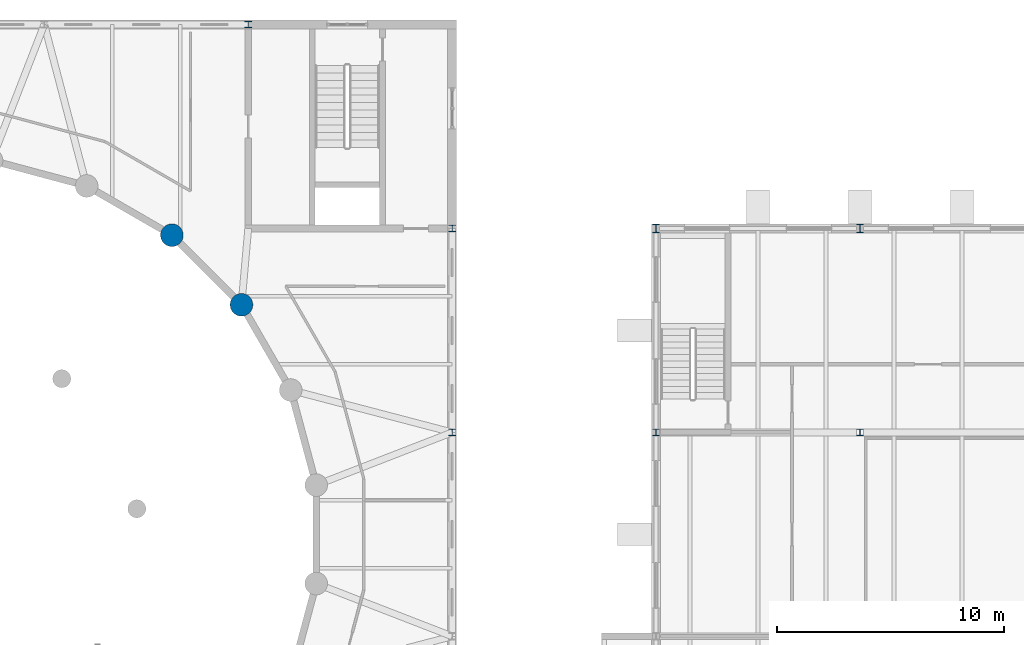
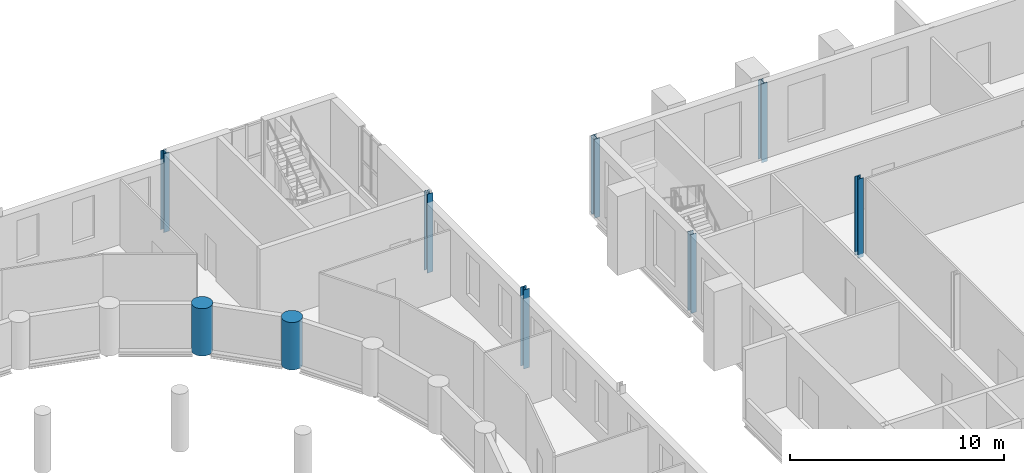
# One storey, part 15 of 134: 9 columns.
"""IFC4 building model written with IfcOpenShell, lengths in metres."""

from ifc_helpers import new_model, si_unit, direction, frame, origin, origin_2d, place, context, subcontext, project, spatial, circle, i_section, extrude, material, material_profile, profile_set, type_object, element, save


model = new_model("IFC4")

# Units and contexts
model_context = context("Model", 3, precision=1e-05, world=origin(), true_north=direction((0.0, 1.0)))
body_context = subcontext(model_context, "Body", "Model", "MODEL_VIEW")
ifc_project = project(units=[si_unit("LENGTHUNIT", "METRE"), si_unit("AREAUNIT", "SQUARE_METRE"), si_unit("VOLUMEUNIT", "CUBIC_METRE"), si_unit("PLANEANGLEUNIT", "RADIAN"), si_unit("MASSUNIT", "GRAM", prefix="KILO")], contexts=[model_context])

# Site, building, storey
site_placement = place(None, origin())
site = spatial("IfcSite", under=ifc_project, at=site_placement, CompositionType="ELEMENT")
building_placement = place(site_placement, origin())
building = spatial("IfcBuilding", under=site, at=building_placement, Name="Golden Quay Civic Hall", CompositionType="ELEMENT")
storey_placement = place(building_placement, frame((0.0, 0.0, 5.39990234375)))
storey = spatial("IfcBuildingStorey", under=building, at=storey_placement, Name="L01", CompositionType="ELEMENT", Elevation=5.39990234375)

# Columns
ifc_material_1 = material(Name="Concrete C50/60", Category="concrete")
ifc_material_profile_1 = material_profile(ifc_material_1, circle(Radius=0.5, at=origin_2d()), Name="RC D1000")
ifc_profile_set_1 = profile_set([ifc_material_profile_1], Name="Concrete C50/60")
column_type_1 = type_object("IfcColumnType", Name="Reinforced concrete column D1000", PredefinedType="COLUMN", material=ifc_profile_set_1)
for number, where, z_axis, x_axis, name in (
    (1, (98.703369140625, 95.63134765625, -0.199951171875), (0.0, 0.0, 1.0), (1.0, 0.0, 0.0), "Rotunda colonnade column 3"),
    (2, (95.63134765625, 98.703369140625, -0.199951171875), (0.0, 0.0, 1.0), (1.0, 0.0, 0.0), "Rotunda colonnade column 4"),
):
    element("IfcColumn", number, at=place(storey_placement, frame(where, z_axis=z_axis, x_axis=x_axis)), inside=storey, type_object=column_type_1, Name=name, PredefinedType="COLUMN", context=body_context, shape_type="SweptSolid", body=[
        extrude(circle(Radius=0.5, at=origin_2d()), origin(), (0.0, 0.0, 1.0), 2.699951171875),
    ])
ifc_material_2 = material(Name="Steel S355", Category="steel")
ifc_material_profile_2 = material_profile(ifc_material_2, i_section(OverallWidth=0.300048828125, OverallDepth=0.300048828125, WebThickness=0.010986328125, FlangeThickness=0.01904296875, FilletRadius=0.027099609375, at=origin_2d()), Name="HEB 300")
ifc_profile_set_2 = profile_set([ifc_material_profile_2], Name="Steel S355")
column_type_2 = type_object("IfcColumnType", Name="Steel column HEB 300", PredefinedType="COLUMN", material=ifc_profile_set_2)
for number, where, z_axis, x_axis, name in (
    (3, (108.0, 90.0, -0.199951171875), (0.0, 0.0, 1.0), (1.0, 0.0, 0.0), "Base column 8"),
    (4, (99.0, 108.0, -0.199951171875), (0.0, 0.0, 1.0), (1.0, 0.0, 0.0), "Base column 12"),
    (5, (108.0, 99.0, -0.199951171875), (0.0, 0.0, 1.0), (1.0, 0.0, 0.0), "Base column 16"),
    (6, (117.0, 90.0, -0.199951171875), (0.0, 0.0, 1.0), (1.0, 0.0, 0.0), "L01 column 117/90"),
    (7, (126.0, 90.0, -0.199951171875), (0.0, 0.0, 1.0), (1.0, 0.0, 0.0), "L01 column 126/90"),
):
    element("IfcColumn", number, at=place(storey_placement, frame(where, z_axis=z_axis, x_axis=x_axis)), inside=storey, type_object=column_type_2, Name=name, PredefinedType="COLUMN", context=body_context, shape_type="SweptSolid", body=[
        extrude(i_section(OverallWidth=0.300048828125, OverallDepth=0.300048828125, WebThickness=0.010986328125, FlangeThickness=0.01904296875, FilletRadius=0.027099609375, at=origin_2d()), origin(), (0.0, 0.0, 1.0), 4.5),
    ])
ifc_material_3 = material(Name="Steel S355", Category="steel")
ifc_material_profile_3 = material_profile(ifc_material_3, i_section(OverallWidth=0.300048828125, OverallDepth=0.360107421875, WebThickness=0.012451171875, FlangeThickness=0.0224609375, FilletRadius=0.027099609375, at=origin_2d()), Name="HEB 360")
ifc_profile_set_3 = profile_set([ifc_material_profile_3], Name="Steel S355")
column_type_3 = type_object("IfcColumnType", Name="Steel column HEB 360", PredefinedType="COLUMN", material=ifc_profile_set_3)
for number, where, z_axis, x_axis, name in (
    (8, (117.0, 99.0, -0.199951171875), (0.0, 0.0, 1.0), (1.0, 0.0, 0.0), "L01 column 117/99"),
    (9, (126.0, 99.0, -0.199951171875), (0.0, 0.0, 1.0), (1.0, 0.0, 0.0), "L01 column 126/99"),
):
    element("IfcColumn", number, at=place(storey_placement, frame(where, z_axis=z_axis, x_axis=x_axis)), inside=storey, type_object=column_type_3, Name=name, PredefinedType="COLUMN", context=body_context, shape_type="SweptSolid", body=[
        extrude(i_section(OverallWidth=0.300048828125, OverallDepth=0.360107421875, WebThickness=0.012451171875, FlangeThickness=0.0224609375, FilletRadius=0.027099609375, at=origin_2d()), origin(), (0.0, 0.0, 1.0), 4.5),
    ])

save(model, "model.ifc")
